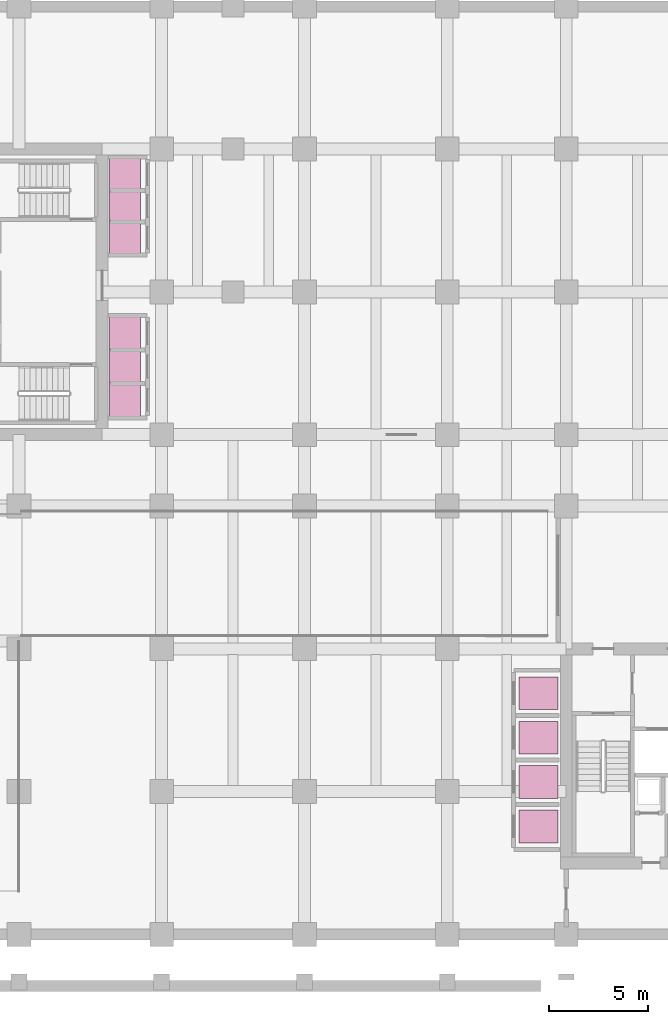
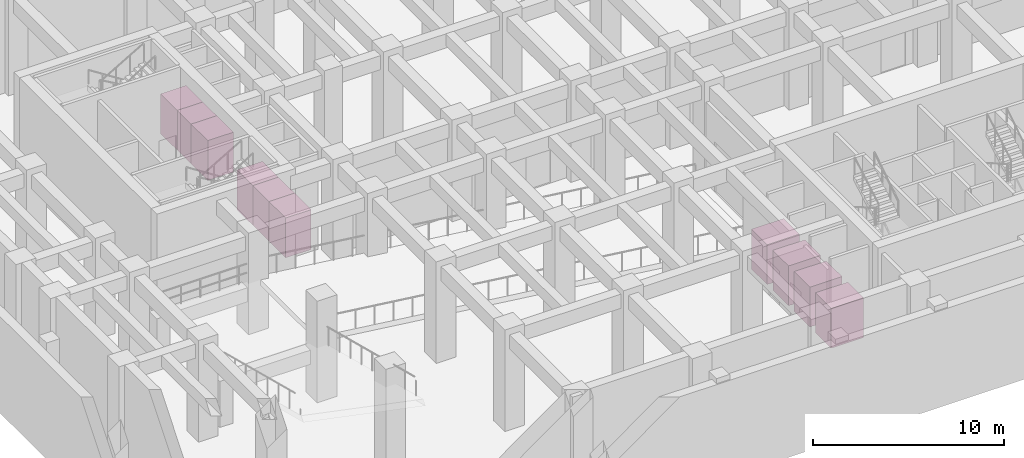
# One storey, part 13 of 13: 10 transport elements.
"""IFC4 building model written with IfcOpenShell, lengths in metres."""

from ifc_helpers import new_model, si_unit, derived_unit, direction, frame, origin, origin_2d, place, context, subcontext, project, spatial, rectangle, extrude, source, transform, mapped, material, type_object, type_shapes, element, save


model = new_model("IFC4")

# Units and contexts
model_context = context("Model", 3, precision=1e-05, world=origin(), true_north=direction((0.0, 1.0)))
body_context = subcontext(model_context, "Body", "Model", "MODEL_VIEW")
ifc_project = project(units=[si_unit("LENGTHUNIT", "METRE"), si_unit("AREAUNIT", "SQUARE_METRE"), si_unit("VOLUMEUNIT", "CUBIC_METRE"), si_unit("PLANEANGLEUNIT", "RADIAN"), si_unit("MASSUNIT", "GRAM", prefix="KILO"), si_unit("THERMODYNAMICTEMPERATUREUNIT", "KELVIN"), si_unit("POWERUNIT", "WATT"), derived_unit("THERMALTRANSMITTANCEUNIT", [(si_unit("POWERUNIT", "WATT"), 1), (si_unit("AREAUNIT", "SQUARE_METRE"), -1), (si_unit("THERMODYNAMICTEMPERATUREUNIT", "KELVIN"), -1)])], contexts=[model_context])

# Site, building, storey
site_placement = place(None, origin())
site = spatial("IfcSite", under=ifc_project, at=site_placement, CompositionType="ELEMENT")
building_placement = place(site_placement, origin())
building = spatial("IfcBuilding", under=site, at=building_placement, Name="Zahravan Archway Hotel and Residences", CompositionType="ELEMENT")
storey_placement = place(building_placement, frame((0.0, 0.0, -6.5)))
storey = spatial("IfcBuildingStorey", under=building, at=storey_placement, Name="B01", CompositionType="ELEMENT", Elevation=-6.5)

# Transport elements
ifc_material = material(Name="Brushed Bronze & Stainless Steel", Category="steel")
transport_element_type_1 = type_object("IfcTransportElementType", Name="LFT-CAR-P1", PredefinedType="ELEVATOR", material=ifc_material)
shared_shape_1 = source(origin(), body_context, "Body", "SweptSolid", [
    extrude(rectangle(XDim=1.550048828125, YDim=1.75, at=origin_2d()), origin(), (0.0, 0.0, 1.0), 2.550048828125),
])
type_shapes(transport_element_type_1, [shared_shape_1])
for number, where, z_axis, x_axis, name in (
    (1, (12.550048828125, 26.949951171875, 0.02490234375), (0.0, 0.0, 1.0), (1.0, 0.0, 0.0), "Elevator LP-1 (Low-Rise Hotel Passenger Lift 1)"),
    (2, (12.550048828125, 28.6298828125, 0.02490234375), (0.0, 0.0, 1.0), (1.0, 0.0, 0.0), "Elevator LP-2 (Low-Rise Hotel Passenger Lift 2)"),
    (3, (12.550048828125, 30.31005859375, 0.02490234375), (0.0, 0.0, 1.0), (1.0, 0.0, 0.0), "Elevator LP-3 (Low-Rise Hotel Passenger Lift 3)"),
    (4, (12.550048828125, 35.1201171875, 0.02490234375), (0.0, 0.0, 1.0), (1.0, 0.0, 0.0), "Elevator LP-4 (Mid-Rise Hotel & Residence Lift 4)"),
    (5, (12.550048828125, 36.719970703125, 0.02490234375), (0.0, 0.0, 1.0), (1.0, 0.0, 0.0), "Elevator LP-5 (Mid-Rise Hotel & Residence Lift 5)"),
    (6, (12.550048828125, 38.320068359375, 0.02490234375), (0.0, 0.0, 1.0), (1.0, 0.0, 0.0), "Elevator LP-6 (Mid-Rise Hotel & Residence Lift 6)"),
):
    element("IfcTransportElement", number, at=place(storey_placement, frame(where, z_axis=z_axis, x_axis=x_axis)), inside=storey, type_object=transport_element_type_1, Name=name, PredefinedType="ELEVATOR", context=body_context, shape_type="MappedRepresentation", body=[
        mapped(shared_shape_1, transform((0.0, 0.0, 0.0), scale=1.0)),
    ])
transport_element_type_2 = type_object("IfcTransportElementType", Name="LFT-CAR-P3", PredefinedType="ELEVATOR", material=ifc_material)
shared_shape_2 = source(origin(), body_context, "Body", "SweptSolid", [
    extrude(rectangle(XDim=1.949951171875, YDim=1.64990234375, at=origin_2d()), origin(), (0.0, 0.0, 1.0), 2.550048828125),
])
type_shapes(transport_element_type_2, [shared_shape_2])
for number, where, z_axis, x_axis, name in (
    (7, (33.39990234375, 5.43994140625, 0.02490234375), (0.0, 0.0, 1.0), (1.0, 0.0, 0.0), "Elevator LP-7 (High-Rise Residence Express Lift 7)"),
    (8, (33.39990234375, 7.679931640625, 0.02490234375), (0.0, 0.0, 1.0), (1.0, 0.0, 0.0), "Elevator LP-8 (High-Rise Residence Express Lift 8)"),
    (9, (33.39990234375, 9.919921875, 0.02490234375), (0.0, 0.0, 1.0), (1.0, 0.0, 0.0), "Elevator LP-9 (High-Rise Residence Express Lift 9)"),
    (10, (33.39990234375, 12.159912109375, 0.02490234375), (0.0, 0.0, 1.0), (1.0, 0.0, 0.0), "Elevator LP-10 (High-Rise Residence Express Lift 10)"),
):
    element("IfcTransportElement", number, at=place(storey_placement, frame(where, z_axis=z_axis, x_axis=x_axis)), inside=storey, type_object=transport_element_type_2, Name=name, PredefinedType="ELEVATOR", context=body_context, shape_type="MappedRepresentation", body=[
        mapped(shared_shape_2, transform((0.0, 0.0, 0.0), scale=1.0)),
    ])

save(model, "model.ifc")
